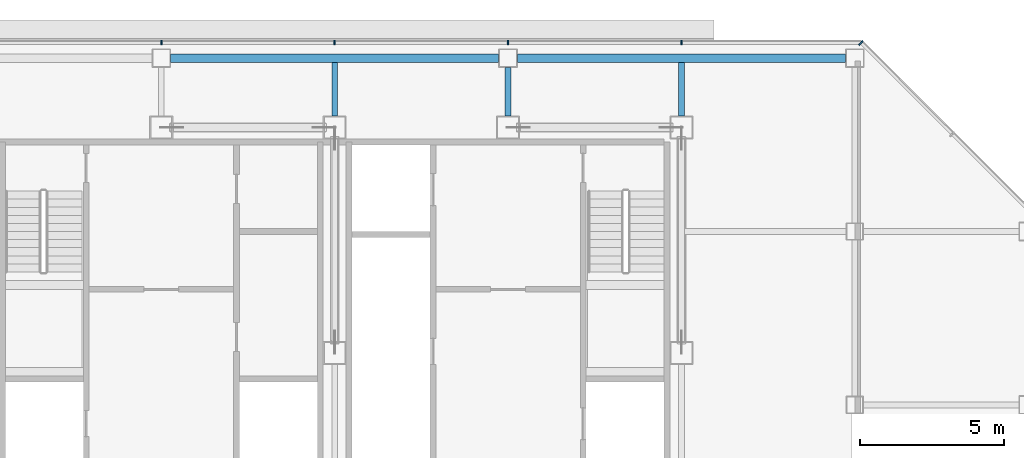
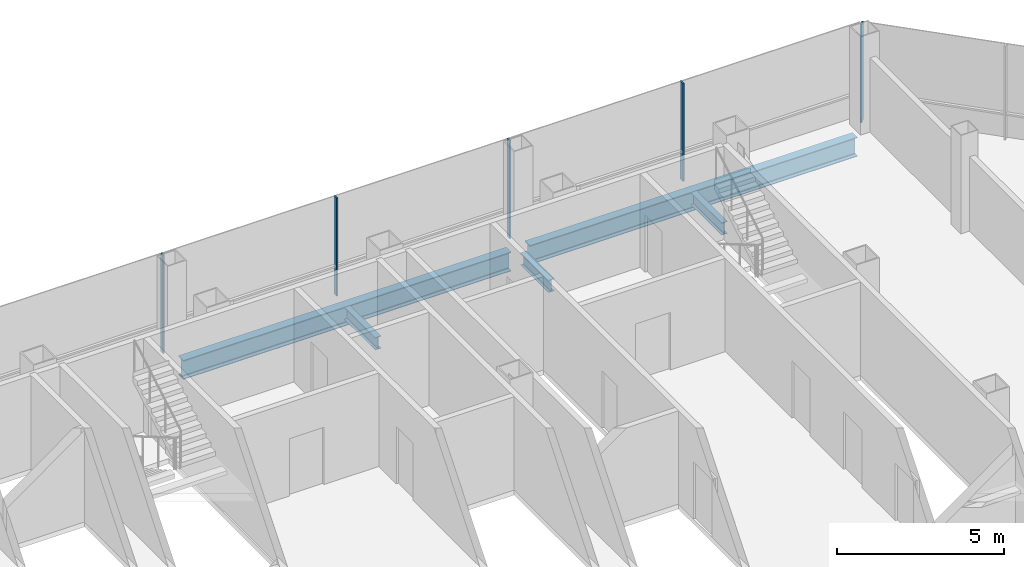
# One storey, part 15 of 27: 5 beams, 5 members, 2 elements without a shape of their own.
"""IFC4 building model written with IfcOpenShell, lengths in metres."""

from ifc_helpers import new_model, si_unit, direction, frame, origin, origin_2d, place, context, subcontext, project, spatial, rectangle, i_section, extrude, material, material_profile, profile_set, type_object, element, aggregate, save


model = new_model("IFC4")

# Units and contexts
model_context = context("Model", 3, precision=1e-05, world=origin(), true_north=direction((0.0, 1.0)))
body_context = subcontext(model_context, "Body", "Model", "MODEL_VIEW")
ifc_project = project(units=[si_unit("LENGTHUNIT", "METRE"), si_unit("AREAUNIT", "SQUARE_METRE"), si_unit("VOLUMEUNIT", "CUBIC_METRE"), si_unit("PLANEANGLEUNIT", "RADIAN"), si_unit("MASSUNIT", "GRAM", prefix="KILO")], contexts=[model_context])

# Site, building, storey
site_placement = place(None, origin())
site = spatial("IfcSite", under=ifc_project, at=site_placement, CompositionType="ELEMENT")
building_placement = place(site_placement, origin())
building = spatial("IfcBuilding", under=site, at=building_placement, Name="Sorahane Residences", CompositionType="ELEMENT")
storey_placement = place(building_placement, frame((0.0, 0.0, 202.800048828125)))
storey = spatial("IfcBuildingStorey", under=building, at=storey_placement, Name="L47", CompositionType="ELEMENT", Elevation=202.800048828125)

# Curtain wall, members
ifc_material_1 = material(Name="Dark low-e glass and black anodised aluminium", Category="aluminium")
curtain_wall_type_1 = type_object("IfcCurtainWallType", Name="Curtain wall CW-1 Typical unitised wall", PredefinedType="NOTDEFINED", material=ifc_material_1)
curtain_wall_1_placement = place(storey_placement, origin())
curtain_wall_1 = element("IfcCurtainWall", 1, at=curtain_wall_1_placement, inside=storey, type_object=curtain_wall_type_1, Name="CW-1 curtain wall L47 N1", PredefinedType="NOTDEFINED")
ifc_material_2 = material(Name="Black anodised aluminium", Category="aluminium")
ifc_material_profile_1 = material_profile(ifc_material_2, rectangle(XDim=0.159912109375, YDim=0.050048828125, at=origin_2d()), Name="Curtain wall mullion CW-1 black anodised aluminium 50x160")
ifc_profile_set_1 = profile_set([ifc_material_profile_1], Name="Black anodised aluminium")
member_type_1 = type_object("IfcMemberType", Name="Curtain wall mullion CW-1 black anodised aluminium 50x160", PredefinedType="MULLION", material=ifc_profile_set_1)
member_1_placement = place(storey_placement, frame((42.0, 48.5400390625, -0.179931640625), z_axis=(0.0, 0.0, 1.0), x_axis=(0.0, 1.0, 0.0)))
member_1 = element("IfcMember", 2, at=member_1_placement, type_object=member_type_1, Name="CW-1 mullion L47 N1.2", PredefinedType="MULLION", context=body_context, shape_type="SweptSolid", body=[
    extrude(rectangle(XDim=0.159912109375, YDim=0.050048828125, at=origin_2d()), origin(), (0.0, 0.0, 1.0), 3.599853515625),
])
member_2_placement = place(storey_placement, frame((36.0, 48.5400390625, -0.179931640625), z_axis=(0.0, 0.0, 1.0), x_axis=(0.0, 1.0, 0.0)))
member_2 = element("IfcMember", 3, at=member_2_placement, type_object=member_type_1, Name="CW-1 mullion L47 N1.3", PredefinedType="MULLION", context=body_context, shape_type="SweptSolid", body=[
    extrude(rectangle(XDim=0.159912109375, YDim=0.050048828125, at=origin_2d()), origin(), (0.0, 0.0, 1.0), 3.599853515625),
])
member_3_placement = place(storey_placement, frame((30.0, 48.5400390625, -0.179931640625), z_axis=(0.0, 0.0, 1.0), x_axis=(0.0, 1.0, 0.0)))
member_3 = element("IfcMember", 4, at=member_3_placement, type_object=member_type_1, Name="CW-1 mullion L47 N1.4", PredefinedType="MULLION", context=body_context, shape_type="SweptSolid", body=[
    extrude(rectangle(XDim=0.159912109375, YDim=0.050048828125, at=origin_2d()), origin(), (0.0, 0.0, 1.0), 3.599853515625),
])
member_4_placement = place(storey_placement, frame((24.0, 48.5400390625, -0.179931640625), z_axis=(0.0, 0.0, 1.0), x_axis=(0.0, 1.0, 0.0)))
member_4 = element("IfcMember", 5, at=member_4_placement, type_object=member_type_1, Name="CW-1 mullion L47 N1.5", PredefinedType="MULLION", context=body_context, shape_type="SweptSolid", body=[
    extrude(rectangle(XDim=0.159912109375, YDim=0.050048828125, at=origin_2d()), origin(), (0.0, 0.0, 1.0), 3.599853515625),
])
aggregate(curtain_wall_1, [member_1, member_2, member_3, member_4])

# Curtain wall, member
ifc_material_3 = material(Name="Dark low-e glass and black anodised aluminium", Category="aluminium")
curtain_wall_type_2 = type_object("IfcCurtainWallType", Name="Curtain wall CW-2 Chamfer unitised wall", PredefinedType="NOTDEFINED", material=ifc_material_3)
curtain_wall_2_placement = place(storey_placement, origin())
curtain_wall_2 = element("IfcCurtainWall", 6, at=curtain_wall_2_placement, inside=storey, type_object=curtain_wall_type_2, Name="CW-2 curtain wall L47 NE1", PredefinedType="NOTDEFINED")
ifc_material_4 = material(Name="Black anodised aluminium", Category="aluminium")
ifc_material_profile_2 = material_profile(ifc_material_4, rectangle(XDim=0.199951171875, YDim=0.050048828125, at=origin_2d()), Name="Curtain wall mullion CW-2 black anodised aluminium 50x200")
ifc_profile_set_2 = profile_set([ifc_material_profile_2], Name="Black anodised aluminium")
member_type_2 = type_object("IfcMemberType", Name="Curtain wall mullion CW-2 black anodised aluminium 50x200", PredefinedType="MULLION", material=ifc_profile_set_2)
member_5_placement = place(storey_placement, frame((48.209716796875, 48.525634765625, -0.179931640625), z_axis=(0.0, 0.0, 1.0), x_axis=(0.707106781187, 0.707106781187, 0.0)))
member_5 = element("IfcMember", 7, at=member_5_placement, type_object=member_type_2, Name="CW-2 mullion L47 NE1.3", PredefinedType="MULLION", context=body_context, shape_type="SweptSolid", body=[
    extrude(rectangle(XDim=0.199951171875, YDim=0.050048828125, at=origin_2d()), origin(), (0.0, 0.0, 1.0), 3.599853515625),
])
aggregate(curtain_wall_2, [member_5])

# Beams
ifc_material_5 = material(Name="Steel Q355B", Category="steel")
ifc_material_profile_3 = material_profile(ifc_material_5, i_section(OverallWidth=0.199951171875, OverallDepth=0.449951171875, WebThickness=0.009033203125, FlangeThickness=0.013916015625, FilletRadius=0.02001953125, at=origin_2d()), Name="HN 450x200x9x14")
ifc_profile_set_3 = profile_set([ifc_material_profile_3], Name="Steel Q355B")
beam_type_1 = type_object("IfcBeamType", Name="Steel floor beam HN 450x200x9x14 Q355B", PredefinedType="BEAM", material=ifc_profile_set_3)
beam_1_placement = place(storey_placement, frame((30.0, 46.0, -0.405029296875), z_axis=(0.0, 1.0, 0.0), x_axis=(-1.0, 0.0, 0.0)))
element("IfcBeam", 8, at=beam_1_placement, inside=storey, type_object=beam_type_1, Name="Beam L47 049", PredefinedType="BEAM", context=body_context, shape_type="SweptSolid", body=[
    extrude(i_section(OverallWidth=0.199951171875, OverallDepth=0.449951171875, WebThickness=0.009033203125, FlangeThickness=0.013916015625, FilletRadius=0.02001953125, at=origin_2d()), origin(), (0.0, 0.0, 1.0), 1.85009765625),
])
beam_2_placement = place(storey_placement, frame((36.0, 46.0, -0.405029296875), z_axis=(0.0, 1.0, 0.0), x_axis=(-1.0, 0.0, 0.0)))
element("IfcBeam", 9, at=beam_2_placement, inside=storey, type_object=beam_type_1, Name="Beam L47 051", PredefinedType="BEAM", context=body_context, shape_type="SweptSolid", body=[
    extrude(i_section(OverallWidth=0.199951171875, OverallDepth=0.449951171875, WebThickness=0.009033203125, FlangeThickness=0.013916015625, FilletRadius=0.02001953125, at=origin_2d()), origin(), (0.0, 0.0, 1.0), 1.675048828125),
])
beam_3_placement = place(storey_placement, frame((42.0, 46.0, -0.405029296875), z_axis=(0.0, 1.0, 0.0), x_axis=(-1.0, 0.0, 0.0)))
element("IfcBeam", 10, at=beam_3_placement, inside=storey, type_object=beam_type_1, Name="Beam L47 057", PredefinedType="BEAM", context=body_context, shape_type="SweptSolid", body=[
    extrude(i_section(OverallWidth=0.199951171875, OverallDepth=0.449951171875, WebThickness=0.009033203125, FlangeThickness=0.013916015625, FilletRadius=0.02001953125, at=origin_2d()), origin(), (0.0, 0.0, 1.0), 1.85009765625),
])
ifc_material_6 = material(Name="Steel Q355B", Category="steel")
ifc_material_profile_4 = material_profile(ifc_material_6, i_section(OverallWidth=0.300048828125, OverallDepth=0.699951171875, WebThickness=0.012939453125, FlangeThickness=0.02392578125, FilletRadius=0.028076171875, at=origin_2d()), Name="HN 700x300x13x24")
ifc_profile_set_4 = profile_set([ifc_material_profile_4], Name="Steel Q355B")
beam_type_2 = type_object("IfcBeamType", Name="Steel floor beam HN 700x300x13x24 Q355B", PredefinedType="BEAM", material=ifc_profile_set_4)
for number, where, z_axis, x_axis, name in (
    (11, (24.324951171875, 48.0, -0.530029296875), (1.0, 0.0, 0.0), (0.0, 1.0, 0.0), "Beam L47 018"),
    (12, (36.324951171875, 48.0, -0.530029296875), (1.0, 0.0, 0.0), (0.0, 1.0, 0.0), "Beam L47 019"),
):
    element("IfcBeam", number, at=place(storey_placement, frame(where, z_axis=z_axis, x_axis=x_axis)), inside=storey, type_object=beam_type_2, Name=name, PredefinedType="BEAM", context=body_context, shape_type="SweptSolid", body=[
        extrude(i_section(OverallWidth=0.300048828125, OverallDepth=0.699951171875, WebThickness=0.012939453125, FlangeThickness=0.02392578125, FilletRadius=0.028076171875, at=origin_2d()), origin(), (0.0, 0.0, 1.0), 11.35009765625),
    ])

save(model, "model.ifc")
